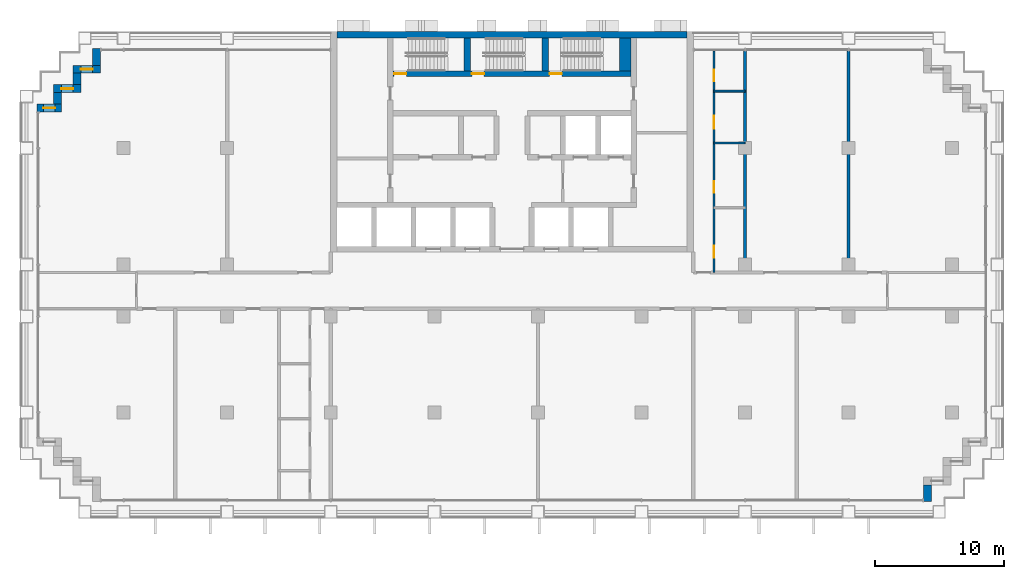
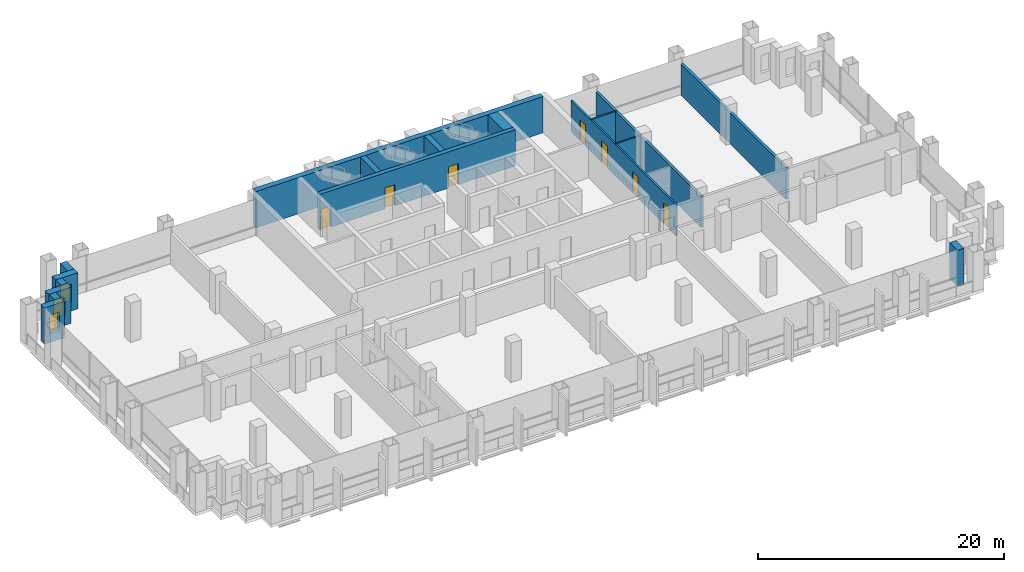
# One storey, part 9 of 13: 17 walls, 7 doors, 3 windows, 10 openings.
"""IFC4 building model written with IfcOpenShell, lengths in metres."""

from ifc_helpers import new_model, si_unit, direction, frame, frame_2d, origin, place, context, subcontext, project, spatial, rectangle, extrude, material, layer, layer_set, type_object, element, fill, save


model = new_model("IFC4")

# Units and contexts
model_context = context("Model", 3, precision=1e-05, world=origin(), true_north=direction((0.0, 1.0)))
body_context = subcontext(model_context, "Body", "Model", "MODEL_VIEW")
ifc_project = project(units=[si_unit("LENGTHUNIT", "METRE"), si_unit("AREAUNIT", "SQUARE_METRE"), si_unit("VOLUMEUNIT", "CUBIC_METRE"), si_unit("PLANEANGLEUNIT", "RADIAN"), si_unit("MASSUNIT", "GRAM", prefix="KILO")], contexts=[model_context])

# Site, building, storey
site_placement = place(None, origin())
site = spatial("IfcSite", under=ifc_project, at=site_placement, CompositionType="ELEMENT")
building_placement = place(site_placement, origin())
building = spatial("IfcBuilding", under=site, at=building_placement, Name="Vidyagriha Tower", CompositionType="ELEMENT")
storey_placement = place(building_placement, frame((0.0, 0.0, 29.89990234375)))
storey = spatial("IfcBuildingStorey", under=building, at=storey_placement, Name="L07", CompositionType="ELEMENT", Elevation=29.89990234375)

# Wall
ifc_material_1 = material(Name="Precast concrete C40/50 with brick facing", Category="concrete")
ifc_layer_1 = layer(ifc_material_1, 0.60009765625)
ifc_layer_set_1 = layer_set([ifc_layer_1], Name="Precast concrete C40/50 with brick facing")
wall_type_1 = type_object("IfcWallType", Name="Brick-faced precast wall 600", PredefinedType="STANDARD", material=ifc_layer_set_1)
wall_1_placement = place(storey_placement, frame((-32.10009765625, 18.679931640625, 0.0), z_axis=(0.0, 0.0, 1.0), x_axis=(0.0, -1.0, 0.0)))
element("IfcWall", 1, at=wall_1_placement, inside=storey, type_object=wall_type_1, Name="Stepped corner wall L07 R10", PredefinedType="STANDARD", context=body_context, shape_type="SweptSolid", body=[
    extrude(rectangle(XDim=1.280029296875, YDim=0.60009765625, at=frame_2d((0.64013671875, 0.0))), origin(), (0.0, 0.0, 1.0), 3.60009765625),
])

# Wall, opening, window
wall_2_placement = place(storey_placement, frame((-31.800048828125, 17.10009765625, 0.0), z_axis=(0.0, 0.0, 1.0), x_axis=(-1.0, 0.0, 0.0)))
wall_2 = element("IfcWall", 2, at=wall_2_placement, inside=storey, type_object=wall_type_1, Name="Stepped corner wall L07 R11", PredefinedType="STANDARD", context=body_context, shape_type="SweptSolid", body=[
    extrude(rectangle(XDim=2.099853515625, YDim=0.60009765625, at=frame_2d((1.0498046875, 0.0))), origin(), (0.0, 0.0, 1.0), 3.60009765625),
])
opening_1_placement = place(wall_2_placement, frame((0.60009765625, 0.0, 0.89990234375)))
opening_1 = element("IfcOpeningElement", 3, at=opening_1_placement, cuts=wall_2, Name="Opening WN2", PredefinedType="OPENING", context=body_context, shape_type="SweptSolid", body=[
    extrude(rectangle(XDim=0.89990234375, YDim=1.800048828125, at=frame_2d((0.449951171875, 0.89990234375))), frame((0.0, 0.31005859375, 0.0), z_axis=(0.0, -1.0, 0.0), x_axis=(1.0, 0.0, 0.0)), (0.0, 0.0, 1.0), 0.6201171875),
])
ifc_material_2 = material(Name="Aluminium and glass window", Category="aluminium")
window_type = type_object("IfcWindowType", Name="Reveal window 900x1800", PartitioningType="NOTDEFINED", PredefinedType="WINDOW", material=ifc_material_2)
window_1_placement = place(opening_1_placement, origin())
window_1 = element("IfcWindow", 4, at=window_1_placement, inside=storey, type_object=window_type, Name="Reveal window L07 R11", OverallHeight=1.800048828125, OverallWidth=0.89990234375, PartitioningType="SINGLE_PANEL", PredefinedType="WINDOW", context=body_context, shape_type="SweptSolid", body=[
    extrude(rectangle(XDim=0.89990234375, YDim=1.800048828125, at=frame_2d((0.449951171875, 0.89990234375))), frame((0.0, 0.030029296875, 0.0), z_axis=(0.0, -1.0, 0.0), x_axis=(1.0, 0.0, 0.0)), (0.0, 0.0, 1.0), 0.06005859375),
])
fill(opening_1, window_1)

# Wall
wall_3_placement = place(storey_placement, frame((-33.60009765625, 16.800048828125, 0.0), z_axis=(0.0, 0.0, 1.0), x_axis=(0.0, -1.0, 0.0)))
element("IfcWall", 5, at=wall_3_placement, inside=storey, type_object=wall_type_1, Name="Stepped corner wall L07 R12", PredefinedType="STANDARD", context=body_context, shape_type="SweptSolid", body=[
    extrude(rectangle(XDim=0.900146484375, YDim=0.60009765625, at=frame_2d((0.4501953125, 0.0))), origin(), (0.0, 0.0, 1.0), 3.60009765625),
])

# Wall, opening, window
wall_4_placement = place(storey_placement, frame((-33.300048828125, 15.60009765625, 0.0), z_axis=(0.0, 0.0, 1.0), x_axis=(-1.0, 0.0, 0.0)))
wall_4 = element("IfcWall", 6, at=wall_4_placement, inside=storey, type_object=wall_type_1, Name="Stepped corner wall L07 R13", PredefinedType="STANDARD", context=body_context, shape_type="SweptSolid", body=[
    extrude(rectangle(XDim=2.099853515625, YDim=0.60009765625, at=frame_2d((1.0498046875, 0.0))), origin(), (0.0, 0.0, 1.0), 3.60009765625),
])
opening_2_placement = place(wall_4_placement, frame((0.60009765625, 0.0, 0.89990234375)))
opening_2 = element("IfcOpeningElement", 7, at=opening_2_placement, cuts=wall_4, Name="Opening WN2", PredefinedType="OPENING", context=body_context, shape_type="SweptSolid", body=[
    extrude(rectangle(XDim=0.89990234375, YDim=1.800048828125, at=frame_2d((0.449951171875, 0.89990234375))), frame((0.0, 0.31005859375, 0.0), z_axis=(0.0, -1.0, 0.0), x_axis=(1.0, 0.0, 0.0)), (0.0, 0.0, 1.0), 0.6201171875),
])
window_2_placement = place(opening_2_placement, origin())
window_2 = element("IfcWindow", 8, at=window_2_placement, inside=storey, type_object=window_type, Name="Reveal window L07 R13", OverallHeight=1.800048828125, OverallWidth=0.89990234375, PartitioningType="SINGLE_PANEL", PredefinedType="WINDOW", context=body_context, shape_type="SweptSolid", body=[
    extrude(rectangle(XDim=0.89990234375, YDim=1.800048828125, at=frame_2d((0.449951171875, 0.89990234375))), frame((0.0, 0.030029296875, 0.0), z_axis=(0.0, -1.0, 0.0), x_axis=(1.0, 0.0, 0.0)), (0.0, 0.0, 1.0), 0.06005859375),
])
fill(opening_2, window_2)

# Wall
wall_5_placement = place(storey_placement, frame((-35.10009765625, 15.300048828125, 0.0), z_axis=(0.0, 0.0, 1.0), x_axis=(0.0, -1.0, 0.0)))
element("IfcWall", 9, at=wall_5_placement, inside=storey, type_object=wall_type_1, Name="Stepped corner wall L07 R14", PredefinedType="STANDARD", context=body_context, shape_type="SweptSolid", body=[
    extrude(rectangle(XDim=0.900146484375, YDim=0.60009765625, at=frame_2d((0.4501953125, 0.0))), origin(), (0.0, 0.0, 1.0), 3.60009765625),
])

# Wall, opening, window
wall_6_placement = place(storey_placement, frame((-34.800048828125, 14.10009765625, 0.0), z_axis=(0.0, 0.0, 1.0), x_axis=(-1.0, 0.0, 0.0)))
wall_6 = element("IfcWall", 10, at=wall_6_placement, inside=storey, type_object=wall_type_1, Name="Stepped corner wall L07 R15", PredefinedType="STANDARD", context=body_context, shape_type="SweptSolid", body=[
    extrude(rectangle(XDim=1.8798828125, YDim=0.60009765625, at=frame_2d((0.93994140625, 0.0))), origin(), (0.0, 0.0, 1.0), 3.60009765625),
])
opening_3_placement = place(wall_6_placement, frame((0.489990234375, 0.0, 0.89990234375)))
opening_3 = element("IfcOpeningElement", 11, at=opening_3_placement, cuts=wall_6, Name="Opening WN2", PredefinedType="OPENING", context=body_context, shape_type="SweptSolid", body=[
    extrude(rectangle(XDim=0.89990234375, YDim=1.800048828125, at=frame_2d((0.449951171875, 0.89990234375))), frame((0.0, 0.31005859375, 0.0), z_axis=(0.0, -1.0, 0.0), x_axis=(1.0, 0.0, 0.0)), (0.0, 0.0, 1.0), 0.6201171875),
])
window_3_placement = place(opening_3_placement, origin())
window_3 = element("IfcWindow", 12, at=window_3_placement, inside=storey, type_object=window_type, Name="Reveal window L07 R15", OverallHeight=1.800048828125, OverallWidth=0.89990234375, PartitioningType="SINGLE_PANEL", PredefinedType="WINDOW", context=body_context, shape_type="SweptSolid", body=[
    extrude(rectangle(XDim=0.89990234375, YDim=1.800048828125, at=frame_2d((0.449951171875, 0.89990234375))), frame((0.0, 0.030029296875, 0.0), z_axis=(0.0, -1.0, 0.0), x_axis=(1.0, 0.0, 0.0)), (0.0, 0.0, 1.0), 0.06005859375),
])
fill(opening_3, window_3)

# Wall
wall_7_placement = place(storey_placement, frame((32.10009765625, -16.280029296875, 0.0), z_axis=(0.0, 0.0, 1.0), x_axis=(0.0, 1.0, 0.0)))
element("IfcWall", 13, at=wall_7_placement, inside=storey, type_object=wall_type_1, Name="Stepped corner wall L07 R24", PredefinedType="STANDARD", context=body_context, shape_type="SweptSolid", body=[
    extrude(rectangle(XDim=1.280029296875, YDim=0.60009765625, at=frame_2d((0.64013671875, 0.0))), origin(), (0.0, 0.0, 1.0), 3.60009765625),
])

# Wall, openings, doors
ifc_material_3 = material(Name="Concrete C60/75", Category="concrete")
ifc_layer_2 = layer(ifc_material_3, 0.39990234375)
ifc_layer_set_2 = layer_set([ifc_layer_2], Name="Concrete C60/75")
wall_type_2 = type_object("IfcWallType", Name="Core shear wall 400 mm", PredefinedType="SHEAR", material=ifc_layer_set_2)
wall_8_placement = place(storey_placement, frame((-9.199951171875, 16.75, 0.0)))
wall_8 = element("IfcWall", 14, at=wall_8_placement, inside=storey, type_object=wall_type_2, Name="Stair front wall", PredefinedType="SHEAR", context=body_context, shape_type="SweptSolid", body=[
    extrude(rectangle(XDim=18.39990234375, YDim=0.39990234375, at=frame_2d((9.199951171875, 0.0))), origin(), (0.0, 0.0, 1.0), 3.60009765625),
])
opening_4_placement = place(wall_8_placement, frame((0.10009765625, 0.0, 0.0)))
opening_4 = element("IfcOpeningElement", 15, at=opening_4_placement, cuts=wall_8, Name="Opening D07-06", PredefinedType="OPENING", context=body_context, shape_type="SweptSolid", body=[
    extrude(rectangle(XDim=0.949951171875, YDim=2.10009765625, at=frame_2d((0.47509765625, 1.050048828125))), frame((0.0, 0.2099609375, 0.0), z_axis=(0.0, -1.0, 0.0), x_axis=(1.0, 0.0, 0.0)), (0.0, 0.0, 1.0), 0.419921875),
])
opening_5_placement = place(wall_8_placement, frame((6.10009765625, 0.0, 0.0)))
opening_5 = element("IfcOpeningElement", 16, at=opening_5_placement, cuts=wall_8, Name="Opening D07-07", PredefinedType="OPENING", context=body_context, shape_type="SweptSolid", body=[
    extrude(rectangle(XDim=0.949951171875, YDim=2.10009765625, at=frame_2d((0.47509765625, 1.050048828125))), frame((0.0, 0.2099609375, 0.0), z_axis=(0.0, -1.0, 0.0), x_axis=(1.0, 0.0, 0.0)), (0.0, 0.0, 1.0), 0.419921875),
])
opening_6_placement = place(wall_8_placement, frame((12.10009765625, 0.0, 0.0)))
opening_6 = element("IfcOpeningElement", 17, at=opening_6_placement, cuts=wall_8, Name="Opening D07-08", PredefinedType="OPENING", context=body_context, shape_type="SweptSolid", body=[
    extrude(rectangle(XDim=0.949951171875, YDim=2.10009765625, at=frame_2d((0.47509765625, 1.050048828125))), frame((0.0, 0.2099609375, 0.0), z_axis=(0.0, -1.0, 0.0), x_axis=(1.0, 0.0, 0.0)), (0.0, 0.0, 1.0), 0.419921875),
])
ifc_material_4 = material(Name="Hollow metal door leaf")
door_type_1 = type_object("IfcDoorType", Name="Exit stair door 950 x 2100 mm EI 90", OperationType="NOTDEFINED", PredefinedType="DOOR", material=ifc_material_4)
door_1_placement = place(opening_4_placement, origin())
door_1 = element("IfcDoor", 18, at=door_1_placement, inside=storey, type_object=door_type_1, Name="Stair door ST1 L07", OperationType="SINGLE_SWING_LEFT", OverallHeight=2.10009765625, OverallWidth=0.949951171875, PredefinedType="DOOR", context=body_context, shape_type="SweptSolid", body=[
    extrude(rectangle(XDim=0.949951171875, YDim=2.10009765625, at=frame_2d((0.47509765625, 1.050048828125))), frame((0.0, 0.02490234375, 0.0), z_axis=(0.0, -1.0, 0.0), x_axis=(1.0, 0.0, 0.0)), (0.0, 0.0, 1.0), 0.050048828125),
])
fill(opening_4, door_1)
door_2_placement = place(opening_5_placement, origin())
door_2 = element("IfcDoor", 19, at=door_2_placement, inside=storey, type_object=door_type_1, Name="Stair door ST2 L07", OperationType="SINGLE_SWING_LEFT", OverallHeight=2.10009765625, OverallWidth=0.949951171875, PredefinedType="DOOR", context=body_context, shape_type="SweptSolid", body=[
    extrude(rectangle(XDim=0.949951171875, YDim=2.10009765625, at=frame_2d((0.47509765625, 1.050048828125))), frame((0.0, 0.02490234375, 0.0), z_axis=(0.0, -1.0, 0.0), x_axis=(1.0, 0.0, 0.0)), (0.0, 0.0, 1.0), 0.050048828125),
])
fill(opening_5, door_2)
door_3_placement = place(opening_6_placement, origin())
door_3 = element("IfcDoor", 20, at=door_3_placement, inside=storey, type_object=door_type_1, Name="Stair door ST3 L07", OperationType="SINGLE_SWING_LEFT", OverallHeight=2.10009765625, OverallWidth=0.949951171875, PredefinedType="DOOR", context=body_context, shape_type="SweptSolid", body=[
    extrude(rectangle(XDim=0.949951171875, YDim=2.10009765625, at=frame_2d((0.47509765625, 1.050048828125))), frame((0.0, 0.02490234375, 0.0), z_axis=(0.0, -1.0, 0.0), x_axis=(1.0, 0.0, 0.0)), (0.0, 0.0, 1.0), 0.050048828125),
])
fill(opening_6, door_3)

# Walls
ifc_material_5 = material(Name="Concrete C60/75", Category="concrete")
ifc_layer_3 = layer(ifc_material_5, 0.5)
ifc_layer_set_3 = layer_set([ifc_layer_3], Name="Concrete C60/75")
wall_type_3 = type_object("IfcWallType", Name="Core shear wall 500 mm", PredefinedType="SHEAR", material=ifc_layer_set_3)
wall_9_placement = place(storey_placement, frame((-13.5, 19.75, 0.0)))
element("IfcWall", 21, at=wall_9_placement, inside=storey, type_object=wall_type_3, Name="Core north wall", PredefinedType="SHEAR", context=body_context, shape_type="SweptSolid", body=[
    extrude(rectangle(XDim=27.0, YDim=0.5, at=frame_2d((13.5, 0.0))), origin(), (0.0, 0.0, 1.0), 3.60009765625),
])
for number, where, z_axis, x_axis, name in (
    (22, (-3.449951171875, 16.949951171875, 0.0), (0.0, 0.0, 1.0), (0.0, 1.0, 0.0), "Stair partition wall 1"),
    (23, (2.550048828125, 16.949951171875, 0.0), (0.0, 0.0, 1.0), (0.0, 1.0, 0.0), "Stair partition wall 2"),
):
    element("IfcWall", number, at=place(storey_placement, frame(where, z_axis=z_axis, x_axis=x_axis)), inside=storey, type_object=wall_type_3, Name=name, PredefinedType="SHEAR", context=body_context, shape_type="SweptSolid", body=[
        extrude(rectangle(XDim=2.550048828125, YDim=0.5, at=frame_2d((1.27490234375, 0.0))), origin(), (0.0, 0.0, 1.0), 3.60009765625),
    ])
ifc_material_6 = material(Name="Concrete C60/75", Category="concrete")
ifc_layer_4 = layer(ifc_material_6, 0.89990234375)
ifc_layer_set_4 = layer_set([ifc_layer_4], Name="Concrete C60/75")
wall_type_4 = type_object("IfcWallType", Name="Core shear wall 900 mm", PredefinedType="SHEAR", material=ifc_layer_set_4)
wall_10_placement = place(storey_placement, frame((8.75, 16.949951171875, 0.0), z_axis=(0.0, 0.0, 1.0), x_axis=(0.0, 1.0, 0.0)))
element("IfcWall", 24, at=wall_10_placement, inside=storey, type_object=wall_type_4, Name="Stair end wall", PredefinedType="SHEAR", context=body_context, shape_type="SweptSolid", body=[
    extrude(rectangle(XDim=2.550048828125, YDim=0.89990234375, at=frame_2d((1.27490234375, 0.0))), origin(), (0.0, 0.0, 1.0), 3.60009765625),
])
ifc_material_7 = material(Name="Fired clay brick masonry", Category="masonry")
ifc_layer_5 = layer(ifc_material_7, 0.25)
ifc_layer_set_5 = layer_set([ifc_layer_5], Name="Fired clay brick masonry")
wall_type_5 = type_object("IfcWallType", Name="Fired clay brick demising wall 250", PredefinedType="PARTITIONING", material=ifc_layer_set_5)
for number, where, z_axis, x_axis, name in (
    (25, (18.0, 18.52099609375, 0.0), (0.0, 0.0, 1.0), (0.0, -1.0, 0.0), "Wall all-L07-w045"),
    (26, (26.0, 18.52099609375, 0.0), (0.0, 0.0, 1.0), (0.0, -1.0, 0.0), "Wall all-L07-w046"),
):
    element("IfcWall", number, at=place(storey_placement, frame(where, z_axis=z_axis, x_axis=x_axis)), inside=storey, type_object=wall_type_5, Name=name, PredefinedType="PARTITIONING", context=body_context, shape_type="SweptSolid", body=[
        extrude(rectangle(XDim=17.12109375, YDim=0.25, at=frame_2d((8.560546875, 0.0))), origin(), (0.0, 0.0, 1.0), 3.10009765625),
    ])
ifc_material_8 = material(Name="Gypsum board partition")
ifc_layer_6 = layer(ifc_material_8, 0.14990234375)
ifc_layer_set_6 = layer_set([ifc_layer_6], Name="Gypsum board partition")
wall_type_6 = type_object("IfcWallType", Name="Gypsum board partition 150", PredefinedType="PARTITIONING", material=ifc_layer_set_6)
for number, where, name in (
    (27, (15.60009765625, 11.39990234375, 0.0), "Wall all-L07-w038"),
    (28, (15.60009765625, 15.39990234375, 0.0), "Wall all-L07-w040"),
):
    element("IfcWall", number, at=place(storey_placement, frame(where)), inside=storey, type_object=wall_type_6, Name=name, PredefinedType="PARTITIONING", context=body_context, shape_type="SweptSolid", body=[
        extrude(rectangle(XDim=2.39990234375, YDim=0.14990234375, at=frame_2d((1.199951171875, 0.0))), origin(), (0.0, 0.0, 1.0), 3.10009765625),
    ])

# Wall, openings, doors
ifc_material_9 = material(Name="Moisture resistant gypsum board partition")
ifc_layer_7 = layer(ifc_material_9, 0.14990234375)
ifc_layer_set_7 = layer_set([ifc_layer_7], Name="Moisture resistant gypsum board partition")
wall_type_7 = type_object("IfcWallType", Name="Gypsum board wet-area partition 150", PredefinedType="PARTITIONING", material=ifc_layer_set_7)
wall_11_placement = place(storey_placement, frame((15.60009765625, 18.52099609375, 0.0), z_axis=(0.0, 0.0, 1.0), x_axis=(0.0, -1.0, 0.0)))
wall_11 = element("IfcWall", 29, at=wall_11_placement, inside=storey, type_object=wall_type_7, Name="Wall all-L07-w034", PredefinedType="PARTITIONING", context=body_context, shape_type="SweptSolid", body=[
    extrude(rectangle(XDim=17.12109375, YDim=0.14990234375, at=frame_2d((8.560546875, 0.0))), origin(), (0.0, 0.0, 1.0), 3.10009765625),
])
opening_7_placement = place(wall_11_placement, frame((15.071044921875, 0.0, 0.0)))
opening_7 = element("IfcOpeningElement", 30, at=opening_7_placement, cuts=wall_11, Name="Opening D07-26", PredefinedType="OPENING", context=body_context, shape_type="SweptSolid", body=[
    extrude(rectangle(XDim=0.89990234375, YDim=2.10009765625, at=frame_2d((0.449951171875, 1.050048828125))), frame((0.0, 0.0849609375, 0.0), z_axis=(0.0, -1.0, 0.0), x_axis=(1.0, 0.0, 0.0)), (0.0, 0.0, 1.0), 0.169921875),
])
opening_8_placement = place(wall_11_placement, frame((10.071044921875, 0.0, 0.0)))
opening_8 = element("IfcOpeningElement", 31, at=opening_8_placement, cuts=wall_11, Name="Opening D07-27", PredefinedType="OPENING", context=body_context, shape_type="SweptSolid", body=[
    extrude(rectangle(XDim=0.89990234375, YDim=2.10009765625, at=frame_2d((0.449951171875, 1.050048828125))), frame((0.0, 0.0849609375, 0.0), z_axis=(0.0, -1.0, 0.0), x_axis=(1.0, 0.0, 0.0)), (0.0, 0.0, 1.0), 0.169921875),
])
opening_9_placement = place(wall_11_placement, frame((5.02099609375, 0.0, 0.0)))
opening_9 = element("IfcOpeningElement", 32, at=opening_9_placement, cuts=wall_11, Name="Opening D07-28", PredefinedType="OPENING", context=body_context, shape_type="SweptSolid", body=[
    extrude(rectangle(XDim=1.0, YDim=2.10009765625, at=frame_2d((0.5, 1.050048828125))), frame((0.0, 0.0849609375, 0.0), z_axis=(0.0, -1.0, 0.0), x_axis=(1.0, 0.0, 0.0)), (0.0, 0.0, 1.0), 0.169921875),
])
opening_10_placement = place(wall_11_placement, frame((1.470947265625, 0.0, 0.0)))
opening_10 = element("IfcOpeningElement", 33, at=opening_10_placement, cuts=wall_11, Name="Opening D07-29", PredefinedType="OPENING", context=body_context, shape_type="SweptSolid", body=[
    extrude(rectangle(XDim=0.89990234375, YDim=2.10009765625, at=frame_2d((0.449951171875, 1.050048828125))), frame((0.0, 0.0849609375, 0.0), z_axis=(0.0, -1.0, 0.0), x_axis=(1.0, 0.0, 0.0)), (0.0, 0.0, 1.0), 0.169921875),
])
ifc_material_10 = material(Name="Timber door leaf", Category="wood")
door_type_2 = type_object("IfcDoorType", Name="Bathroom door 1000x2100", OperationType="NOTDEFINED", PredefinedType="DOOR", material=ifc_material_10)
door_4_placement = place(opening_9_placement, origin())
door_4 = element("IfcDoor", 34, at=door_4_placement, inside=storey, type_object=door_type_2, Name="Door D07-28", OperationType="SINGLE_SWING_RIGHT", OverallHeight=2.10009765625, OverallWidth=1.0, PredefinedType="DOOR", context=body_context, shape_type="SweptSolid", body=[
    extrude(rectangle(XDim=1.0, YDim=2.10009765625, at=frame_2d((0.5, 1.050048828125))), frame((0.0, 0.02490234375, 0.0), z_axis=(0.0, -1.0, 0.0), x_axis=(1.0, 0.0, 0.0)), (0.0, 0.0, 1.0), 0.050048828125),
])
fill(opening_9, door_4)
ifc_material_11 = material(Name="Timber door leaf", Category="wood")
door_type_3 = type_object("IfcDoorType", Name="Bathroom door 900x2100", OperationType="NOTDEFINED", PredefinedType="DOOR", material=ifc_material_11)
door_5_placement = place(opening_7_placement, origin())
door_5 = element("IfcDoor", 35, at=door_5_placement, inside=storey, type_object=door_type_3, Name="Door D07-26", OperationType="SINGLE_SWING_RIGHT", OverallHeight=2.10009765625, OverallWidth=0.89990234375, PredefinedType="DOOR", context=body_context, shape_type="SweptSolid", body=[
    extrude(rectangle(XDim=0.89990234375, YDim=2.10009765625, at=frame_2d((0.449951171875, 1.050048828125))), frame((0.0, 0.02490234375, 0.0), z_axis=(0.0, -1.0, 0.0), x_axis=(1.0, 0.0, 0.0)), (0.0, 0.0, 1.0), 0.050048828125),
])
fill(opening_7, door_5)
door_6_placement = place(opening_8_placement, origin())
door_6 = element("IfcDoor", 36, at=door_6_placement, inside=storey, type_object=door_type_3, Name="Door D07-27", OperationType="SINGLE_SWING_RIGHT", OverallHeight=2.10009765625, OverallWidth=0.89990234375, PredefinedType="DOOR", context=body_context, shape_type="SweptSolid", body=[
    extrude(rectangle(XDim=0.89990234375, YDim=2.10009765625, at=frame_2d((0.449951171875, 1.050048828125))), frame((0.0, 0.02490234375, 0.0), z_axis=(0.0, -1.0, 0.0), x_axis=(1.0, 0.0, 0.0)), (0.0, 0.0, 1.0), 0.050048828125),
])
fill(opening_8, door_6)
door_7_placement = place(opening_10_placement, origin())
door_7 = element("IfcDoor", 37, at=door_7_placement, inside=storey, type_object=door_type_3, Name="Door D07-29", OperationType="SINGLE_SWING_RIGHT", OverallHeight=2.10009765625, OverallWidth=0.89990234375, PredefinedType="DOOR", context=body_context, shape_type="SweptSolid", body=[
    extrude(rectangle(XDim=0.89990234375, YDim=2.10009765625, at=frame_2d((0.449951171875, 1.050048828125))), frame((0.0, 0.02490234375, 0.0), z_axis=(0.0, -1.0, 0.0), x_axis=(1.0, 0.0, 0.0)), (0.0, 0.0, 1.0), 0.050048828125),
])
fill(opening_10, door_7)

save(model, "model.ifc")
